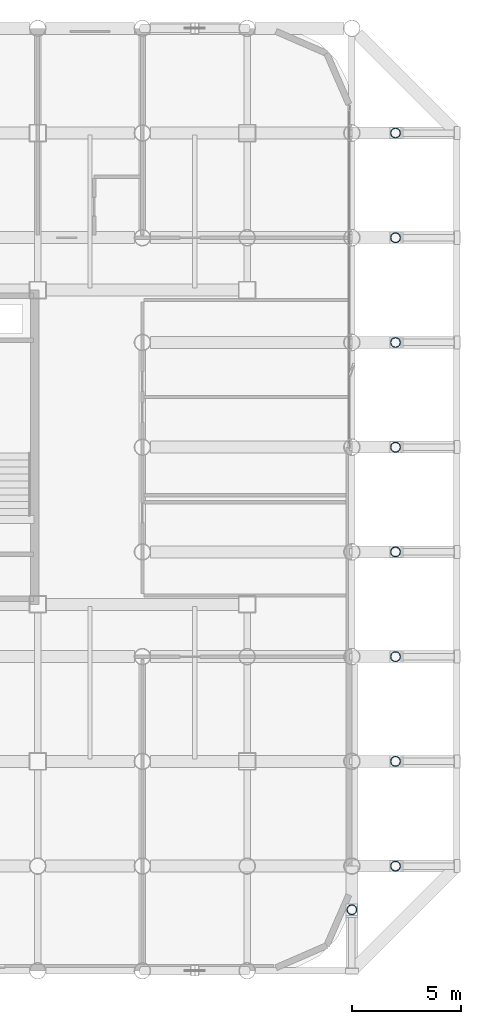
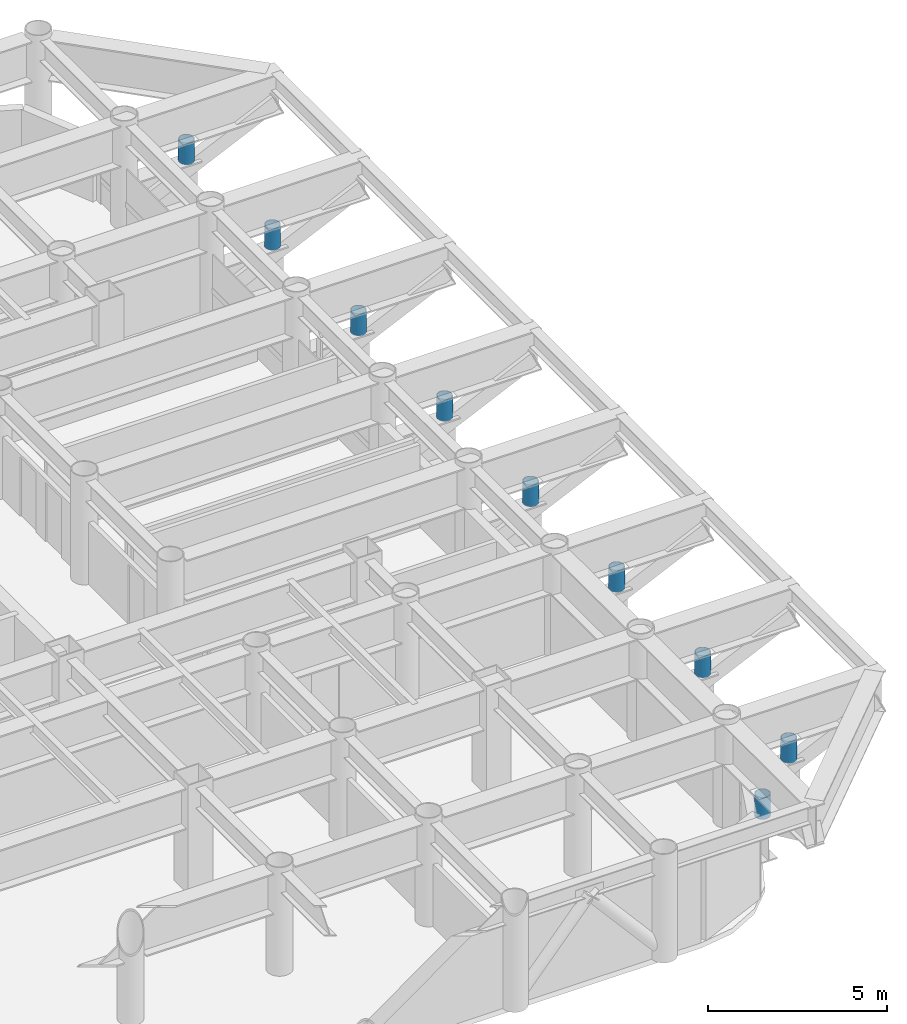
# One storey, part 2 of 26: 9 columns.
"""IFC4 building model written with IfcOpenShell, lengths in metres."""

from ifc_helpers import new_model, si_unit, direction, frame, origin, origin_2d, place, context, subcontext, project, spatial, hollow_circle, extrude, material, material_profile, profile_set, type_object, element, save


model = new_model("IFC4")

# Units and contexts
model_context = context("Model", 3, precision=1e-05, world=origin(), true_north=direction((0.0, 1.0)))
body_context = subcontext(model_context, "Body", "Model", "MODEL_VIEW")
ifc_project = project(units=[si_unit("LENGTHUNIT", "METRE"), si_unit("AREAUNIT", "SQUARE_METRE"), si_unit("VOLUMEUNIT", "CUBIC_METRE"), si_unit("PLANEANGLEUNIT", "RADIAN"), si_unit("MASSUNIT", "GRAM", prefix="KILO")], contexts=[model_context])

# Site, building, storey
site_placement = place(None, origin())
site = spatial("IfcSite", under=ifc_project, at=site_placement, CompositionType="ELEMENT")
building_placement = place(site_placement, origin())
building = spatial("IfcBuilding", under=site, at=building_placement, Name="Kallvorn Hotel Tower", CompositionType="ELEMENT")
storey_placement = place(building_placement, frame((0.0, 0.0, 55.89990234375)))
storey = spatial("IfcBuildingStorey", under=building, at=storey_placement, Name="L12", CompositionType="ELEMENT", Elevation=55.89990234375)

# Columns
ifc_material = material(Name="Structural steel S355J2H", Category="steel")
ifc_material_profile = material_profile(ifc_material, hollow_circle(Radius=0.228515625, WallThickness=0.02001953125, at=origin_2d()), Name="CHS 457x20")
ifc_profile_set = profile_set([ifc_material_profile], Name="Structural steel S355J2H")
column_type = type_object("IfcColumnType", Name="COL_CHS_457", PredefinedType="COLUMN", material=ifc_profile_set)
for number, where, z_axis, x_axis, name in (
    (1, (28.800048828125, -21.199951171875, 1.400146484375), (0.0, 0.0, 1.0), (1.0, 0.0, 0.0), "L13 Cantilever Haunch Prop Column 01"),
    (2, (30.800048828125, -19.199951171875, 1.400146484375), (0.0, 0.0, 1.0), (1.0, 0.0, 0.0), "L13 Cantilever Haunch Prop Column 02"),
    (3, (30.800048828125, -14.39990234375, 1.400146484375), (0.0, 0.0, 1.0), (1.0, 0.0, 0.0), "L13 Cantilever Haunch Prop Column 03"),
    (4, (30.800048828125, -9.60009765625, 1.400146484375), (0.0, 0.0, 1.0), (1.0, 0.0, 0.0), "L13 Cantilever Haunch Prop Column 04"),
    (5, (30.800048828125, -4.800048828125, 1.400146484375), (0.0, 0.0, 1.0), (1.0, 0.0, 0.0), "L13 Cantilever Haunch Prop Column 05"),
    (6, (30.800048828125, 0.0, 1.400146484375), (0.0, 0.0, 1.0), (1.0, 0.0, 0.0), "L13 Cantilever Haunch Prop Column 06"),
    (7, (30.800048828125, 4.800048828125, 1.400146484375), (0.0, 0.0, 1.0), (1.0, 0.0, 0.0), "L13 Cantilever Haunch Prop Column 07"),
    (8, (30.800048828125, 9.60009765625, 1.400146484375), (0.0, 0.0, 1.0), (1.0, 0.0, 0.0), "L13 Cantilever Haunch Prop Column 08"),
    (9, (30.800048828125, 14.39990234375, 1.400146484375), (0.0, 0.0, 1.0), (1.0, 0.0, 0.0), "L13 Cantilever Haunch Prop Column 09"),
):
    element("IfcColumn", number, at=place(storey_placement, frame(where, z_axis=z_axis, x_axis=x_axis)), inside=storey, type_object=column_type, Name=name, PredefinedType="COLUMN", context=body_context, shape_type="SweptSolid", body=[
        extrude(hollow_circle(Radius=0.228515625, WallThickness=0.02001953125, at=origin_2d()), origin(), (0.0, 0.0, 1.0), 0.739990234375),
    ])

save(model, "model.ifc")
